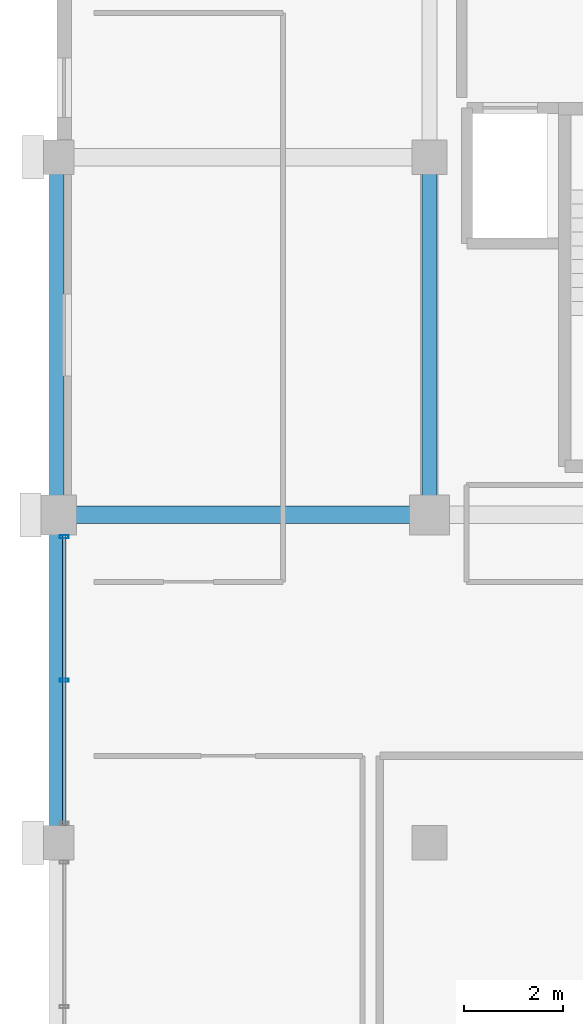
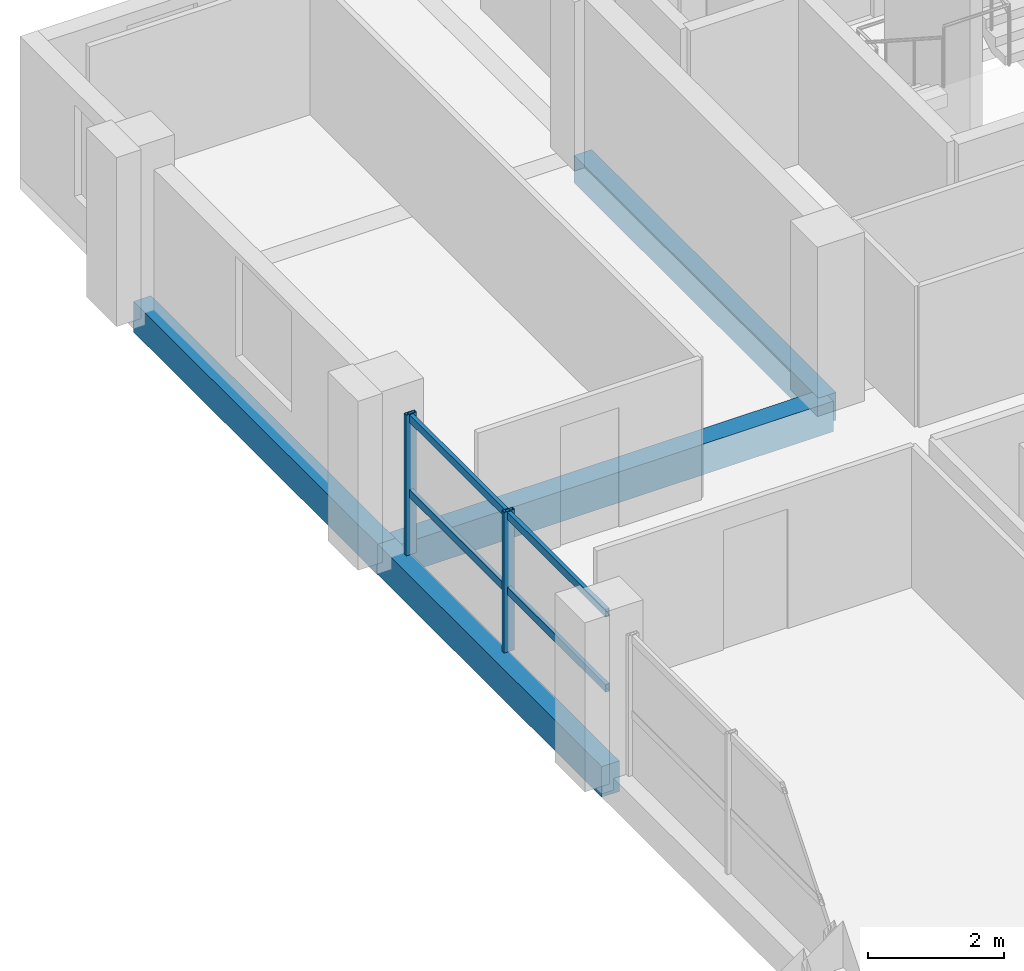
# One storey, part 7 of 24: 4 beams, 4 members, 1 element without a shape of its own.
"""IFC4 building model written with IfcOpenShell, lengths in metres."""

import ifcopenshell
import ifcopenshell.guid

model = None  # the IFC model being written
_history = None  # IfcOwnerHistory: only IFC2X3 demands one
_inside = {}  # id of a spatial element -> (the spatial element, [elements in it])
_under = {}  # id of a project, library or spatial element -> (it, [spatial elements below it])
_declared = {}  # id of a project -> (the project, [libraries it declares])
_typed = {}  # id of a type object -> (the type object, [elements of that type])
_made_of = {}  # id of a material, layer set ... -> (it, [elements and type objects made of it])


def new_model(schema):
    """Start an empty IFC model of exactly this schema.

    Asked for "IFC4X3", IfcOpenShell would pick the latest addendum, in which some entities
    have other attributes; the version numbers below select the first issue.
    IFC2X3 requires an IfcOwnerHistory on every rooted entity: one is made here for all.
    """
    global model, _history
    if schema == "IFC4X3":
        model = ifcopenshell.file(schema_version=(4, 3, 0, 0))
    else:
        model = ifcopenshell.file(schema=schema)
    _inside.clear()
    _under.clear()
    _declared.clear()
    _typed.clear()
    _made_of.clear()
    _history = None
    if model.schema == "IFC2X3":
        org = make("IfcOrganization", Name="unknown")
        user = make(
            "IfcPersonAndOrganization",
            ThePerson=make("IfcPerson", FamilyName="unknown"),
            TheOrganization=org,
        )
        app = make(
            "IfcApplication",
            ApplicationDeveloper=org,
            Version="unknown",
            ApplicationFullName="unknown",
            ApplicationIdentifier="unknown",
        )
        _history = make(
            "IfcOwnerHistory",
            OwningUser=user,
            OwningApplication=app,
            ChangeAction="ADDED",
            CreationDate=0,
        )
    return model


def make(cls, **values):
    """One entity of the class cls with the attributes given. An attribute that is None is left unset."""
    return model.create_entity(
        cls, **{name: value for name, value in values.items() if value is not None}
    )


def rooted(cls, **values):
    """An entity with a GlobalId (a new one), such as an element, a storey or a relation."""
    return make(cls, GlobalId=ifcopenshell.guid.new(), OwnerHistory=_history, **values)


def si_unit(unit_type, name, prefix=None):
    """IfcSIUnit, for example si_unit("LENGTHUNIT", "METRE", prefix="MILLI")."""
    return make("IfcSIUnit", UnitType=unit_type, Prefix=prefix, Name=name)


def assignment(units):
    """IfcUnitAssignment: the units of a project."""
    return None if units is None else make("IfcUnitAssignment", Units=units)


def point(xyz):
    """IfcCartesianPoint."""
    return None if xyz is None else make("IfcCartesianPoint", Coordinates=xyz)


def direction(xyz):
    """IfcDirection."""
    return None if xyz is None else make("IfcDirection", DirectionRatios=xyz)


def frame(location, z_axis=None, x_axis=None):
    """IfcAxis2Placement3D, a coordinate frame: its origin and axes. An axis left out is left unset."""
    return make(
        "IfcAxis2Placement3D",
        Location=point(location),
        Axis=direction(z_axis),
        RefDirection=direction(x_axis),
    )


def frame_2d(location, x_axis=None):
    """IfcAxis2Placement2D, a coordinate frame in the plane: its origin and x axis."""
    return make(
        "IfcAxis2Placement2D", Location=point(location), RefDirection=direction(x_axis)
    )


def origin():
    """The frame at (0, 0, 0) with its axes left unset."""
    return frame((0.0, 0.0, 0.0))


def origin_2d():
    """The frame at (0, 0) in the plane with its x axis left unset."""
    return frame_2d((0.0, 0.0))


def place(relative_to, where):
    """IfcLocalPlacement: puts the frame where relative to a parent placement (None: the world)."""
    return make(
        "IfcLocalPlacement", PlacementRelTo=relative_to, RelativePlacement=where
    )


def context(
    kind, dimensions, precision=None, world=None, true_north=None, identifier=None
):
    """IfcGeometricRepresentationContext, for example the 3D "Model" context."""
    return make(
        "IfcGeometricRepresentationContext",
        ContextIdentifier=identifier,
        ContextType=kind,
        CoordinateSpaceDimension=dimensions,
        Precision=precision,
        WorldCoordinateSystem=world,
        TrueNorth=true_north,
    )


def subcontext(parent, identifier, kind, view, scale=None):
    """IfcGeometricRepresentationSubContext, for example "Body" below "Model"."""
    return make(
        "IfcGeometricRepresentationSubContext",
        ContextIdentifier=identifier,
        ContextType=kind,
        ParentContext=parent,
        TargetScale=scale,
        TargetView=view,
    )


def project(units=None, contexts=None):
    """IfcProject with its units and contexts."""
    return rooted(
        "IfcProject",
        Name="project",
        RepresentationContexts=contexts,
        UnitsInContext=assignment(units),
    )


def spatial(cls, under=None, at=None, **own):
    """A site, building, storey or space (cls), placed at a placement, below another one or the project."""
    s = rooted(cls, ObjectPlacement=at, **own)
    if under is not None:
        _under.setdefault(under.id(), (under, []))[1].append(s)
    return s


def profile(cls, at=None, kind="AREA", **sizes):
    """A parametric profile (cls). Its sizes go by their IFC names, for example OverallWidth=200.0."""
    return make(cls, ProfileType=kind, Position=at, **sizes)


def rectangle(**sizes):
    """IfcRectangleProfileDef."""
    return profile("IfcRectangleProfileDef", **sizes)


def hollow_rectangle(**sizes):
    """IfcRectangleHollowProfileDef."""
    return profile("IfcRectangleHollowProfileDef", **sizes)


def extrude(swept, where, along, depth):
    """IfcExtrudedAreaSolid: the profile swept, set in the frame where, extruded along a direction by depth."""
    return make(
        "IfcExtrudedAreaSolid",
        SweptArea=swept,
        Position=where,
        ExtrudedDirection=direction(along),
        Depth=depth,
    )


def shape(context_of_items, identifier, shape_type, items):
    """IfcShapeRepresentation: the items that make up one representation, for example the "Body"."""
    return make(
        "IfcShapeRepresentation",
        ContextOfItems=context_of_items,
        RepresentationIdentifier=identifier,
        RepresentationType=shape_type,
        Items=items,
    )


def material(Name=None, Category=None):
    """IfcMaterial."""
    return make("IfcMaterial", Name=Name, Category=Category)


def material_profile(
    of_material, cross_section, Name=None, Category=None, Priority=None
):
    """IfcMaterialProfile: a cross section and its material."""
    return make(
        "IfcMaterialProfile",
        Name=Name,
        Material=of_material,
        Profile=cross_section,
        Priority=Priority,
        Category=Category,
    )


def profile_set(profiles, Name=None, composite=None):
    """IfcMaterialProfileSet."""
    return make(
        "IfcMaterialProfileSet",
        Name=Name,
        MaterialProfiles=profiles,
        CompositeProfile=composite,
    )


def made_of(thing, what):
    """Note that an element or type object is made of a material, layer set ...; save() writes the relation."""
    if what is not None:
        _made_of.setdefault(what.id(), (what, []))[1].append(thing)
    return thing


def type_object(cls, material=None, **own):
    """A type object (cls), such as IfcWallType, which elements share."""
    return made_of(rooted(cls, **own), material)


def element(
    cls,
    number,
    at=None,
    inside=None,
    cuts=None,
    type_object=None,
    material=None,
    context=None,
    identifier="Body",
    shape_type=None,
    held_by="IfcProductDefinitionShape",
    body=None,
    shapes=None,
    **own,
):
    """One element of the class cls, such as IfcWall. Its Tag is "e" and its number.

    at: its placement. inside: the storey or other place that contains it. cuts: it is an
    opening in that element (IfcRelVoidsElement). A single representation is given by context,
    identifier, shape_type and body (its items); several are given by shapes. held_by: the class
    of the entity that holds the representations. save() writes the other relations.
    """
    e = rooted(cls, Tag="e%d" % number, ObjectPlacement=at, **own)
    if body is not None:
        shapes = [shape(context, identifier, shape_type, body)]
    if shapes is not None:
        e.Representation = make(held_by, Representations=shapes)
    if inside is not None:
        _inside.setdefault(inside.id(), (inside, []))[1].append(e)
    if cuts is not None:
        rooted(
            "IfcRelVoidsElement", RelatingBuildingElement=cuts, RelatedOpeningElement=e
        )
    if type_object is not None:
        _typed.setdefault(type_object.id(), (type_object, []))[1].append(e)
    return made_of(e, material)


def aggregate(whole, parts):
    """IfcRelAggregates: a whole, such as a stair, and the parts it consists of."""
    return rooted("IfcRelAggregates", RelatingObject=whole, RelatedObjects=parts)


def save(model, path):
    """Write the relations noted so far, then the file.

    IfcRelAggregates (storeys below a building ...), IfcRelContainedInSpatialStructure (elements
    in a storey), IfcRelDefinesByType, IfcRelAssociatesMaterial and IfcRelDeclares: one each for
    every whole, place, type object, material and project.
    """
    for whole, parts in _under.values():
        aggregate(whole, parts)
    for where, things in _inside.values():
        rooted(
            "IfcRelContainedInSpatialStructure",
            RelatedElements=things,
            RelatingStructure=where,
        )
    for kind, things in _typed.values():
        rooted("IfcRelDefinesByType", RelatedObjects=things, RelatingType=kind)
    for what, things in _made_of.values():
        rooted("IfcRelAssociatesMaterial", RelatedObjects=things, RelatingMaterial=what)
    for by, libraries in _declared.values():
        rooted("IfcRelDeclares", RelatingContext=by, RelatedDefinitions=libraries)
    model.write(path)


model = new_model("IFC4")

# Units and contexts
model_context = context("Model", 3, precision=1e-05, world=origin(), true_north=direction((0.0, 1.0)))
body_context = subcontext(model_context, "Body", "Model", "MODEL_VIEW")
ifc_project = project(units=[si_unit("LENGTHUNIT", "METRE"), si_unit("AREAUNIT", "SQUARE_METRE"), si_unit("VOLUMEUNIT", "CUBIC_METRE"), si_unit("PLANEANGLEUNIT", "RADIAN"), si_unit("MASSUNIT", "GRAM", prefix="KILO")], contexts=[model_context])

# Site, building, storey
site_placement = place(None, origin())
site = spatial("IfcSite", under=ifc_project, at=site_placement, CompositionType="ELEMENT")
building_placement = place(site_placement, origin())
building = spatial("IfcBuilding", under=site, at=building_placement, Name="Akrevak Sports Hall", CompositionType="ELEMENT")
storey_placement = place(building_placement, frame((0.0, 0.0, 60.050048828125)))
storey = spatial("IfcBuildingStorey", under=building, at=storey_placement, Name="L15", CompositionType="ELEMENT", Elevation=60.050048828125)

# Curtain wall, members
ifc_material_1 = material(Name="Anodized Bronze Aluminium & Low-E Glass", Category="aluminium")
curtain_wall_type = type_object("IfcCurtainWallType", Name="ARC-CW-TWR-56x30", PredefinedType="NOTDEFINED", material=ifc_material_1)
curtain_wall_placement = place(storey_placement, origin())
curtain_wall = element("IfcCurtainWall", 1, at=curtain_wall_placement, inside=storey, type_object=curtain_wall_type, Name="Curtain Wall CW-L15-W28", PredefinedType="NOTDEFINED")
ifc_material_2 = material(Name="Anodized Bronze Aluminium", Category="aluminium")
ifc_material_profile_1 = material_profile(ifc_material_2, hollow_rectangle(XDim=0.06494140625, YDim=0.179931640625, WallThickness=0.00390625, at=origin_2d()), Name="CWM 65x180", Category="aluminium")
ifc_profile_set_1 = profile_set([ifc_material_profile_1], Name="Anodized Bronze Aluminium")
member_type_1 = type_object("IfcMemberType", Name="ARC-CWM-65x140", PredefinedType="MULLION", material=ifc_profile_set_1)
member_1_placement = place(storey_placement, frame((52.64990234375, 54.760009765625, 0.0), z_axis=(0.0, 0.0, 1.0), x_axis=(0.0, -1.0, 0.0)))
member_1 = element("IfcMember", 2, at=member_1_placement, type_object=member_type_1, Name="Curtain Wall Mullion CW-L15-W28-M1", PredefinedType="MULLION", context=body_context, shape_type="SweptSolid", body=[
    extrude(hollow_rectangle(XDim=0.06494140625, YDim=0.179931640625, WallThickness=0.00390625, at=origin_2d()), origin(), (0.0, 0.0, 1.0), 2.530029296875),
])
member_2_placement = place(storey_placement, frame((52.64990234375, 51.875, 0.0), z_axis=(0.0, 0.0, 1.0), x_axis=(0.0, -1.0, 0.0)))
member_2 = element("IfcMember", 3, at=member_2_placement, type_object=member_type_1, Name="Curtain Wall Mullion CW-L15-W28-M2", PredefinedType="MULLION", context=body_context, shape_type="SweptSolid", body=[
    extrude(hollow_rectangle(XDim=0.06494140625, YDim=0.179931640625, WallThickness=0.00390625, at=origin_2d()), origin(), (0.0, 0.0, 1.0), 2.530029296875),
])
ifc_material_profile_2 = material_profile(ifc_material_2, hollow_rectangle(XDim=0.06494140625, YDim=0.139892578125, WallThickness=0.00390625, at=origin_2d()), Name="CWT 65x140", Category="aluminium")
ifc_profile_set_2 = profile_set([ifc_material_profile_2], Name="Anodized Bronze Aluminium")
member_type_2 = type_object("IfcMemberType", Name="ARC-CWT-65x110", PredefinedType="USERDEFINED", material=ifc_profile_set_2)
member_3_placement = place(storey_placement, frame((52.64990234375, 54.800048828125, 1.099853515625), z_axis=(0.0, -1.0, 0.0), x_axis=(1.0, 0.0, 0.0)))
member_3 = element("IfcMember", 4, at=member_3_placement, type_object=member_type_2, Name="Curtain Wall Transom CW-L15-W28-T1", ObjectType="TRANSOM", PredefinedType="USERDEFINED", context=body_context, shape_type="SweptSolid", body=[
    extrude(hollow_rectangle(XDim=0.06494140625, YDim=0.139892578125, WallThickness=0.00390625, at=origin_2d()), origin(), (0.0, 0.0, 1.0), 5.85009765625),
])
member_4_placement = place(storey_placement, frame((52.64990234375, 54.800048828125, 2.449951171875), z_axis=(0.0, -1.0, 0.0), x_axis=(1.0, 0.0, 0.0)))
member_4 = element("IfcMember", 5, at=member_4_placement, type_object=member_type_2, Name="Curtain Wall Transom CW-L15-W28-T2", ObjectType="TRANSOM", PredefinedType="USERDEFINED", context=body_context, shape_type="SweptSolid", body=[
    extrude(hollow_rectangle(XDim=0.06494140625, YDim=0.139892578125, WallThickness=0.00390625, at=origin_2d()), origin(), (0.0, 0.0, 1.0), 5.85009765625),
])
aggregate(curtain_wall, [member_1, member_2, member_3, member_4])

# Beams
ifc_material_3 = material(Name="Concrete C40/50", Category="concrete")
ifc_material_profile_3 = material_profile(ifc_material_3, rectangle(XDim=0.300048828125, YDim=0.5, at=origin_2d()), Name="BM 300x500", Category="concrete")
ifc_profile_set_3 = profile_set([ifc_material_profile_3], Name="Concrete C40/50")
beam_type_1 = type_object("IfcBeamType", Name="STR-BM-RC300x500", PredefinedType="BEAM", material=ifc_profile_set_3)
beam_1_placement = place(storey_placement, frame((60.0, 55.199951171875, -0.25), z_axis=(0.0, 1.0, 0.0), x_axis=(-1.0, 0.0, 0.0)))
element("IfcBeam", 6, at=beam_1_placement, inside=storey, type_object=beam_type_1, Name="Girder 9/I-J (L15)", PredefinedType="BEAM", context=body_context, shape_type="SweptSolid", body=[
    extrude(rectangle(XDim=0.300048828125, YDim=0.5, at=origin_2d()), origin(), (0.0, 0.0, 1.0), 7.199951171875),
])
ifc_material_profile_4 = material_profile(ifc_material_3, rectangle(XDim=0.300048828125, YDim=0.550048828125, at=origin_2d()), Name="BM 300x550", Category="concrete")
ifc_profile_set_4 = profile_set([ifc_material_profile_4], Name="Concrete C40/50")
beam_type_2 = type_object("IfcBeamType", Name="STR-BM-RC300x550", PredefinedType="BEAM", material=ifc_profile_set_4)
beam_2_placement = place(storey_placement, frame((52.5, 48.60009765625, -0.275146484375), z_axis=(0.0, 1.0, 0.0), x_axis=(-1.0, 0.0, 0.0)))
element("IfcBeam", 7, at=beam_2_placement, inside=storey, type_object=beam_type_2, Name="Girder 8/H-I (L15)", PredefinedType="BEAM", context=body_context, shape_type="SweptSolid", body=[
    extrude(rectangle(XDim=0.300048828125, YDim=0.550048828125, at=origin_2d()), origin(), (0.0, 0.0, 1.0), 6.599853515625),
])
beam_3_placement = place(storey_placement, frame((52.5, 55.199951171875, -0.275146484375), z_axis=(0.0, 1.0, 0.0), x_axis=(-1.0, 0.0, 0.0)))
element("IfcBeam", 8, at=beam_3_placement, inside=storey, type_object=beam_type_2, Name="Girder 8/I-J (L15)", PredefinedType="BEAM", context=body_context, shape_type="SweptSolid", body=[
    extrude(rectangle(XDim=0.300048828125, YDim=0.550048828125, at=origin_2d()), origin(), (0.0, 0.0, 1.0), 7.199951171875),
])
ifc_material_profile_5 = material_profile(ifc_material_3, rectangle(XDim=0.35009765625, YDim=0.550048828125, at=origin_2d()), Name="BM 350x550", Category="concrete")
ifc_profile_set_5 = profile_set([ifc_material_profile_5], Name="Concrete C40/50")
beam_type_3 = type_object("IfcBeamType", Name="STR-BM-RC350x550", PredefinedType="BEAM", material=ifc_profile_set_5)
beam_4_placement = place(storey_placement, frame((52.5, 55.199951171875, -0.275146484375), z_axis=(1.0, 0.0, 0.0), x_axis=(0.0, 1.0, 0.0)))
element("IfcBeam", 9, at=beam_4_placement, inside=storey, type_object=beam_type_3, Name="Girder I/8-9 (L15)", PredefinedType="BEAM", context=body_context, shape_type="SweptSolid", body=[
    extrude(rectangle(XDim=0.35009765625, YDim=0.550048828125, at=origin_2d()), origin(), (0.0, 0.0, 1.0), 7.5),
])

save(model, "model.ifc")
